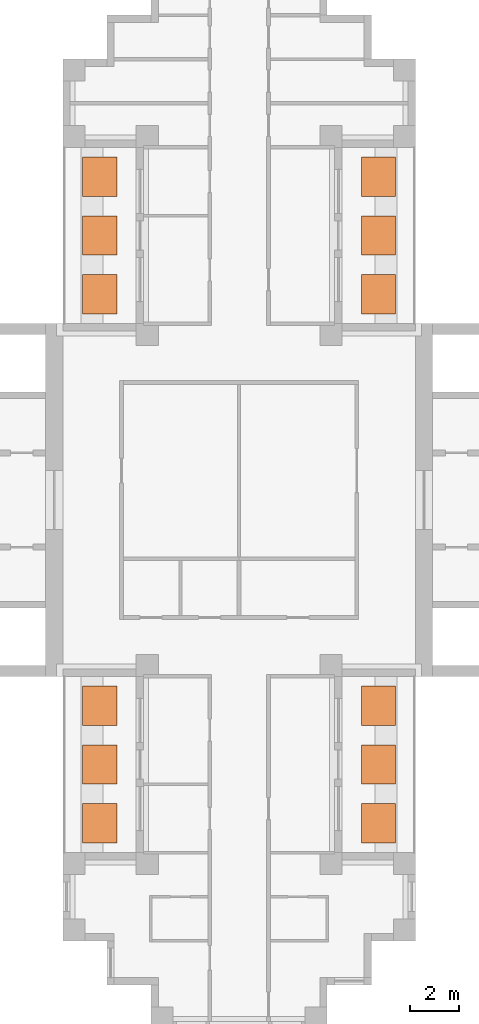
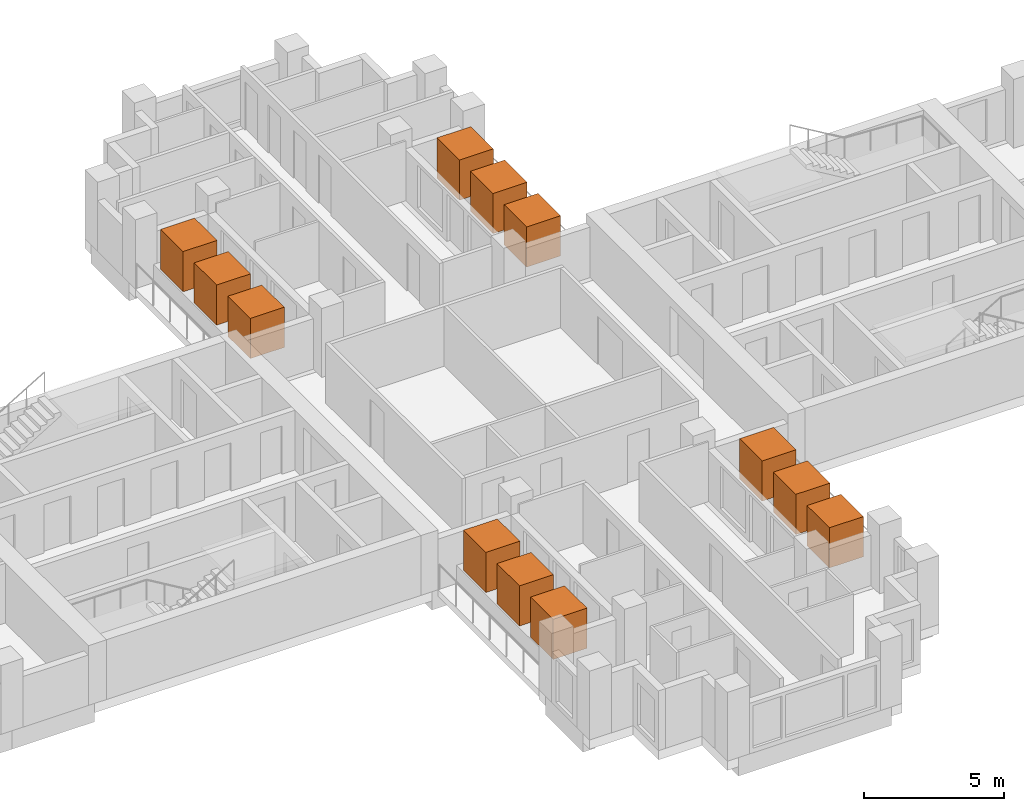
# One storey, part 12 of 12: 12 geographic elements.
"""IFC4 building model written with IfcOpenShell, lengths in metres."""

from ifc_helpers import new_model, si_unit, direction, frame, origin, origin_2d, place, context, subcontext, project, spatial, rectangle, extrude, material, element, save


model = new_model("IFC4")

# Units and contexts
model_context = context("Model", 3, precision=1e-05, world=origin(), true_north=direction((0.0, 1.0)))
body_context = subcontext(model_context, "Body", "Model", "MODEL_VIEW")
ifc_project = project(units=[si_unit("LENGTHUNIT", "METRE"), si_unit("AREAUNIT", "SQUARE_METRE"), si_unit("VOLUMEUNIT", "CUBIC_METRE"), si_unit("PLANEANGLEUNIT", "RADIAN"), si_unit("MASSUNIT", "GRAM", prefix="KILO")], contexts=[model_context])

# Site, building, storey
site_placement = place(None, origin())
site = spatial("IfcSite", under=ifc_project, at=site_placement, CompositionType="ELEMENT")
building_placement = place(site_placement, origin())
building = spatial("IfcBuilding", under=site, at=building_placement, Name="Fustian Cross Tower", CompositionType="ELEMENT")
storey_placement = place(building_placement, frame((0.0, 0.0, 156.300048828125)))
storey = spatial("IfcBuildingStorey", under=building, at=storey_placement, Name="L49", CompositionType="ELEMENT", Elevation=156.300048828125)

# Geographic elements
ifc_material = material(Name="Evergreen foliage")
for number, where, z_axis, x_axis, name in (
    (1, (5.68994140625, 8.39990234375, 0.800048828125), (0.0, 0.0, 1.0), (1.0, 0.0, 0.0), "TREE field maple"),
    (2, (5.68994140625, 10.800048828125, 0.800048828125), (0.0, 0.0, 1.0), (1.0, 0.0, 0.0), "TREE field maple"),
    (3, (5.68994140625, 13.199951171875, 0.800048828125), (0.0, 0.0, 1.0), (1.0, 0.0, 0.0), "TREE field maple"),
    (4, (-5.68994140625, 8.39990234375, 0.800048828125), (0.0, 0.0, 1.0), (1.0, 0.0, 0.0), "TREE field maple"),
    (5, (-5.68994140625, 10.800048828125, 0.800048828125), (0.0, 0.0, 1.0), (1.0, 0.0, 0.0), "TREE field maple"),
    (6, (-5.68994140625, 13.199951171875, 0.800048828125), (0.0, 0.0, 1.0), (1.0, 0.0, 0.0), "TREE field maple"),
    (7, (5.68994140625, -13.199951171875, 0.800048828125), (0.0, 0.0, 1.0), (1.0, 0.0, 0.0), "TREE field maple"),
    (8, (5.68994140625, -10.800048828125, 0.800048828125), (0.0, 0.0, 1.0), (1.0, 0.0, 0.0), "TREE field maple"),
    (9, (5.68994140625, -8.39990234375, 0.800048828125), (0.0, 0.0, 1.0), (1.0, 0.0, 0.0), "TREE field maple"),
    (10, (-5.68994140625, -13.199951171875, 0.800048828125), (0.0, 0.0, 1.0), (1.0, 0.0, 0.0), "TREE field maple"),
    (11, (-5.68994140625, -10.800048828125, 0.800048828125), (0.0, 0.0, 1.0), (1.0, 0.0, 0.0), "TREE field maple"),
    (12, (-5.68994140625, -8.39990234375, 0.800048828125), (0.0, 0.0, 1.0), (1.0, 0.0, 0.0), "TREE field maple"),
):
    element("IfcGeographicElement", number, at=place(storey_placement, frame(where, z_axis=z_axis, x_axis=x_axis)), inside=storey, material=ifc_material, Name=name, ObjectType="VEGETATION", PredefinedType="USERDEFINED", context=body_context, shape_type="SweptSolid", body=[
        extrude(rectangle(XDim=1.39990234375, YDim=1.60009765625, at=origin_2d()), origin(), (0.0, 0.0, 1.0), 1.75),
    ])

save(model, "model.ifc")
